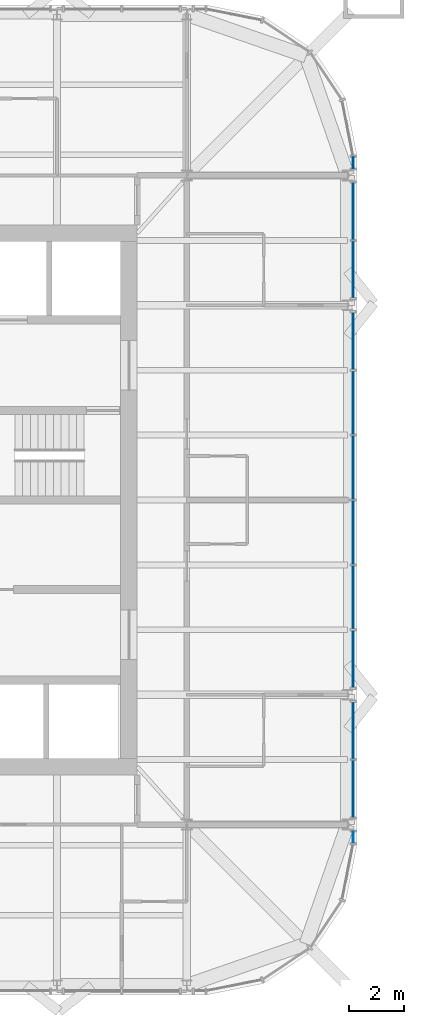
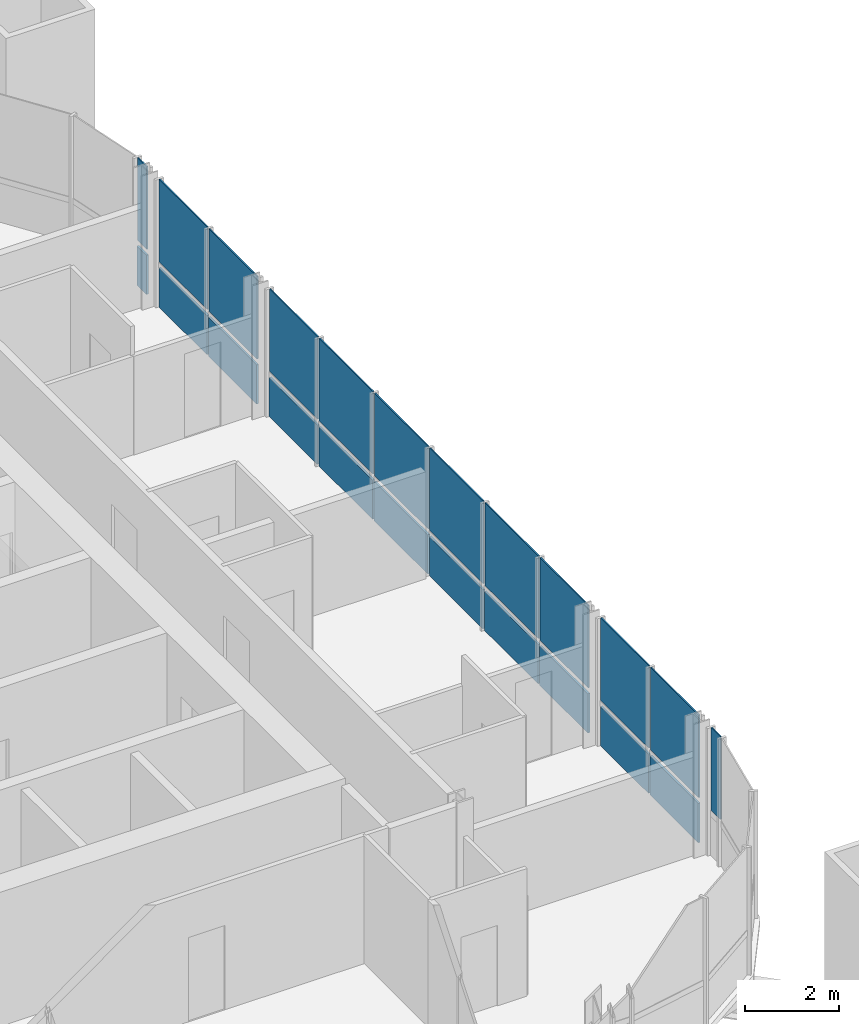
# One storey, part 11 of 17: 23 plates, 5 elements without a shape of their own.
"""IFC4 building model written with IfcOpenShell, lengths in metres."""

from ifc_helpers import new_model, si_unit, direction, frame, origin, origin_2d, place, context, subcontext, project, spatial, rectangle, extrude, material, layer, layer_set, type_object, element, aggregate, save


model = new_model("IFC4")

# Units and contexts
model_context = context("Model", 3, precision=1e-05, world=origin(), true_north=direction((0.0, 1.0)))
body_context = subcontext(model_context, "Body", "Model", "MODEL_VIEW")
ifc_project = project(units=[si_unit("LENGTHUNIT", "METRE"), si_unit("AREAUNIT", "SQUARE_METRE"), si_unit("VOLUMEUNIT", "CUBIC_METRE"), si_unit("PLANEANGLEUNIT", "RADIAN"), si_unit("MASSUNIT", "GRAM", prefix="KILO")], contexts=[model_context])

# Site, building, storey
site_placement = place(None, origin())
site = spatial("IfcSite", under=ifc_project, at=site_placement, CompositionType="ELEMENT")
building_placement = place(site_placement, origin())
building = spatial("IfcBuilding", under=site, at=building_placement, Name="Turquesa Mirador Hotel Tower", CompositionType="ELEMENT")
storey_placement = place(building_placement, frame((0.0, 0.0, 240.699951171875)))
storey = spatial("IfcBuildingStorey", under=building, at=storey_placement, Name="L65", CompositionType="ELEMENT", Elevation=240.699951171875)

# Curtain wall, plates
ifc_material_1 = material(Name="Aluminium extrusion", Category="aluminium")
curtain_wall_type = type_object("IfcCurtainWallType", Name="CW-4 SUITE FRITTED CURTAIN WALL", PredefinedType="USERDEFINED", material=ifc_material_1)
curtain_wall_1_placement = place(storey_placement, origin())
curtain_wall_1 = element("IfcCurtainWall", 1, at=curtain_wall_1_placement, inside=storey, type_object=curtain_wall_type, Name="CW-4 SUITE FRITTED CURTAIN WALL L65", ObjectType="CURTAIN WALL", PredefinedType="USERDEFINED")
ifc_material_2 = material(Name="Ceramic-printed spandrel glass on an insulated back pan", Category="glass")
ifc_layer_1 = layer(ifc_material_2, 0.050048828125)
ifc_layer_set_1 = layer_set([ifc_layer_1], Name="CW PANEL SPANDREL CERAMIC")
plate_type_1 = type_object("IfcPlateType", Name="CW PANEL SPANDREL CERAMIC", PredefinedType="CURTAIN_PANEL", material=ifc_layer_set_1)
plate_1_placement = place(storey_placement, frame((72.85009765625, 34.496826171875, 0.0), z_axis=(0.0, 0.0, 1.0), x_axis=(0.0, 1.0, 0.0)))
plate_1 = element("IfcPlate", 2, at=plate_1_placement, type_object=plate_type_1, Name="Panel", PredefinedType="CURTAIN_PANEL", context=body_context, shape_type="SweptSolid", body=[
    extrude(rectangle(XDim=2.06103515625, YDim=0.050048828125, at=origin_2d()), origin(), (0.0, 0.0, 1.0), 1.02490234375),
])
plate_2_placement = place(storey_placement, frame((72.85009765625, 36.623046875, 0.0), z_axis=(0.0, 0.0, 1.0), x_axis=(0.0, 1.0, 0.0)))
plate_2 = element("IfcPlate", 3, at=plate_2_placement, type_object=plate_type_1, Name="Panel", PredefinedType="CURTAIN_PANEL", context=body_context, shape_type="SweptSolid", body=[
    extrude(rectangle(XDim=2.06103515625, YDim=0.050048828125, at=origin_2d()), origin(), (0.0, 0.0, 1.0), 1.02490234375),
])

curtain_wall_2_placement = place(storey_placement, origin())
curtain_wall_2 = element("IfcCurtainWall", 4, at=curtain_wall_2_placement, inside=storey, type_object=curtain_wall_type, Name="CW-4 SUITE FRITTED CURTAIN WALL L65", ObjectType="CURTAIN WALL", PredefinedType="USERDEFINED")
plate_3_placement = place(storey_placement, frame((72.85009765625, 39.217041015625, 0.0), z_axis=(0.0, 0.0, 1.0), x_axis=(0.0, 1.0, 0.0)))
plate_3 = element("IfcPlate", 5, at=plate_3_placement, type_object=plate_type_1, Name="Panel", PredefinedType="CURTAIN_PANEL", context=body_context, shape_type="SweptSolid", body=[
    extrude(rectangle(XDim=2.06103515625, YDim=0.050048828125, at=origin_2d()), origin(), (0.0, 0.0, 1.0), 1.02490234375),
])
plate_4_placement = place(storey_placement, frame((72.85009765625, 41.4599609375, 0.0), z_axis=(0.0, 0.0, 1.0), x_axis=(0.0, 1.0, 0.0)))
plate_4 = element("IfcPlate", 6, at=plate_4_placement, type_object=plate_type_1, Name="Panel", PredefinedType="CURTAIN_PANEL", context=body_context, shape_type="SweptSolid", body=[
    extrude(rectangle(XDim=2.294921875, YDim=0.050048828125, at=origin_2d()), origin(), (0.0, 0.0, 1.0), 1.02490234375),
])
plate_5_placement = place(storey_placement, frame((72.85009765625, 43.820068359375, 0.0), z_axis=(0.0, 0.0, 1.0), x_axis=(0.0, 1.0, 0.0)))
plate_5 = element("IfcPlate", 7, at=plate_5_placement, type_object=plate_type_1, Name="Panel", PredefinedType="CURTAIN_PANEL", context=body_context, shape_type="SweptSolid", body=[
    extrude(rectangle(XDim=2.294921875, YDim=0.050048828125, at=origin_2d()), origin(), (0.0, 0.0, 1.0), 1.02490234375),
])
plate_6_placement = place(storey_placement, frame((72.85009765625, 46.179931640625, 0.0), z_axis=(0.0, 0.0, 1.0), x_axis=(0.0, 1.0, 0.0)))
plate_6 = element("IfcPlate", 8, at=plate_6_placement, type_object=plate_type_1, Name="Panel", PredefinedType="CURTAIN_PANEL", context=body_context, shape_type="SweptSolid", body=[
    extrude(rectangle(XDim=2.294921875, YDim=0.050048828125, at=origin_2d()), origin(), (0.0, 0.0, 1.0), 1.02490234375),
])
plate_7_placement = place(storey_placement, frame((72.85009765625, 48.5400390625, 0.0), z_axis=(0.0, 0.0, 1.0), x_axis=(0.0, 1.0, 0.0)))
plate_7 = element("IfcPlate", 9, at=plate_7_placement, type_object=plate_type_1, Name="Panel", PredefinedType="CURTAIN_PANEL", context=body_context, shape_type="SweptSolid", body=[
    extrude(rectangle(XDim=2.294921875, YDim=0.050048828125, at=origin_2d()), origin(), (0.0, 0.0, 1.0), 1.02490234375),
])
plate_8_placement = place(storey_placement, frame((72.85009765625, 50.782958984375, 0.0), z_axis=(0.0, 0.0, 1.0), x_axis=(0.0, 1.0, 0.0)))
plate_8 = element("IfcPlate", 10, at=plate_8_placement, type_object=plate_type_1, Name="Panel", PredefinedType="CURTAIN_PANEL", context=body_context, shape_type="SweptSolid", body=[
    extrude(rectangle(XDim=2.06103515625, YDim=0.050048828125, at=origin_2d()), origin(), (0.0, 0.0, 1.0), 1.02490234375),
])

curtain_wall_3_placement = place(storey_placement, origin())
curtain_wall_3 = element("IfcCurtainWall", 11, at=curtain_wall_3_placement, inside=storey, type_object=curtain_wall_type, Name="CW-4 SUITE FRITTED CURTAIN WALL L65", ObjectType="CURTAIN WALL", PredefinedType="USERDEFINED")
plate_9_placement = place(storey_placement, frame((72.85009765625, 53.376953125, 0.0), z_axis=(0.0, 0.0, 1.0), x_axis=(0.0, 1.0, 0.0)))
plate_9 = element("IfcPlate", 12, at=plate_9_placement, type_object=plate_type_1, Name="Panel", PredefinedType="CURTAIN_PANEL", context=body_context, shape_type="SweptSolid", body=[
    extrude(rectangle(XDim=2.06103515625, YDim=0.050048828125, at=origin_2d()), origin(), (0.0, 0.0, 1.0), 1.02490234375),
])
plate_10_placement = place(storey_placement, frame((72.85009765625, 55.503173828125, 0.0), z_axis=(0.0, 0.0, 1.0), x_axis=(0.0, 1.0, 0.0)))
plate_10 = element("IfcPlate", 13, at=plate_10_placement, type_object=plate_type_1, Name="Panel", PredefinedType="CURTAIN_PANEL", context=body_context, shape_type="SweptSolid", body=[
    extrude(rectangle(XDim=2.06103515625, YDim=0.050048828125, at=origin_2d()), origin(), (0.0, 0.0, 1.0), 1.02490234375),
])

# Curtain wall, plate
curtain_wall_4_placement = place(storey_placement, origin())
curtain_wall_4 = element("IfcCurtainWall", 14, at=curtain_wall_4_placement, inside=storey, type_object=curtain_wall_type, Name="CW-4 SUITE FRITTED CURTAIN WALL L65", ObjectType="CURTAIN WALL", PredefinedType="USERDEFINED")
plate_11_placement = place(storey_placement, frame((72.85009765625, 57.266845703125, 0.0), z_axis=(0.0, 0.0, 1.0), x_axis=(0.0, 1.0, 0.0)))
plate_11 = element("IfcPlate", 15, at=plate_11_placement, type_object=plate_type_1, Name="Panel", PredefinedType="CURTAIN_PANEL", context=body_context, shape_type="SweptSolid", body=[
    extrude(rectangle(XDim=0.401123046875, YDim=0.050048828125, at=origin_2d()), origin(), (0.0, 0.0, 1.0), 1.02490234375),
])

curtain_wall_5_placement = place(storey_placement, origin())
curtain_wall_5 = element("IfcCurtainWall", 16, at=curtain_wall_5_placement, inside=storey, type_object=curtain_wall_type, Name="CW-4 SUITE FRITTED CURTAIN WALL L65", ObjectType="CURTAIN WALL", PredefinedType="USERDEFINED")
ifc_material_3 = material(Name="Ceramic-fritted laminated glass", Category="glass")
ifc_layer_2 = layer(ifc_material_3, 0.031982421875)
ifc_layer_set_2 = layer_set([ifc_layer_2], Name="CW PANEL VISION FRITTED")
plate_type_2 = type_object("IfcPlateType", Name="CW PANEL VISION FRITTED", PredefinedType="CURTAIN_PANEL", material=ifc_layer_set_2)
plate_12_placement = place(storey_placement, frame((72.85009765625, 32.733154296875, 1.1748046875), z_axis=(0.0, 0.0, 1.0), x_axis=(0.0, 1.0, 0.0)))
plate_12 = element("IfcPlate", 17, at=plate_12_placement, type_object=plate_type_2, Name="Panel", PredefinedType="CURTAIN_PANEL", context=body_context, shape_type="SweptSolid", body=[
    extrude(rectangle(XDim=0.401123046875, YDim=0.031982421875, at=origin_2d()), origin(), (0.0, 0.0, 1.0), 2.155029296875),
])
aggregate(curtain_wall_5, [plate_12])

# Plate
plate_13_placement = place(storey_placement, frame((72.85009765625, 34.496826171875, 1.1748046875), z_axis=(0.0, 0.0, 1.0), x_axis=(0.0, 1.0, 0.0)))
plate_13 = element("IfcPlate", 18, at=plate_13_placement, type_object=plate_type_2, Name="Panel", PredefinedType="CURTAIN_PANEL", context=body_context, shape_type="SweptSolid", body=[
    extrude(rectangle(XDim=2.06103515625, YDim=0.031982421875, at=origin_2d()), origin(), (0.0, 0.0, 1.0), 2.155029296875),
])

plate_14_placement = place(storey_placement, frame((72.85009765625, 36.623046875, 1.1748046875), z_axis=(0.0, 0.0, 1.0), x_axis=(0.0, 1.0, 0.0)))
plate_14 = element("IfcPlate", 19, at=plate_14_placement, type_object=plate_type_2, Name="Panel", PredefinedType="CURTAIN_PANEL", context=body_context, shape_type="SweptSolid", body=[
    extrude(rectangle(XDim=2.06103515625, YDim=0.031982421875, at=origin_2d()), origin(), (0.0, 0.0, 1.0), 2.155029296875),
])

aggregate(curtain_wall_1, [plate_1, plate_13, plate_2, plate_14])

plate_15_placement = place(storey_placement, frame((72.85009765625, 39.217041015625, 1.1748046875), z_axis=(0.0, 0.0, 1.0), x_axis=(0.0, 1.0, 0.0)))
plate_15 = element("IfcPlate", 20, at=plate_15_placement, type_object=plate_type_2, Name="Panel", PredefinedType="CURTAIN_PANEL", context=body_context, shape_type="SweptSolid", body=[
    extrude(rectangle(XDim=2.06103515625, YDim=0.031982421875, at=origin_2d()), origin(), (0.0, 0.0, 1.0), 2.155029296875),
])

plate_16_placement = place(storey_placement, frame((72.85009765625, 41.4599609375, 1.1748046875), z_axis=(0.0, 0.0, 1.0), x_axis=(0.0, 1.0, 0.0)))
plate_16 = element("IfcPlate", 21, at=plate_16_placement, type_object=plate_type_2, Name="Panel", PredefinedType="CURTAIN_PANEL", context=body_context, shape_type="SweptSolid", body=[
    extrude(rectangle(XDim=2.294921875, YDim=0.031982421875, at=origin_2d()), origin(), (0.0, 0.0, 1.0), 2.155029296875),
])

plate_17_placement = place(storey_placement, frame((72.85009765625, 43.820068359375, 1.1748046875), z_axis=(0.0, 0.0, 1.0), x_axis=(0.0, 1.0, 0.0)))
plate_17 = element("IfcPlate", 22, at=plate_17_placement, type_object=plate_type_2, Name="Panel", PredefinedType="CURTAIN_PANEL", context=body_context, shape_type="SweptSolid", body=[
    extrude(rectangle(XDim=2.294921875, YDim=0.031982421875, at=origin_2d()), origin(), (0.0, 0.0, 1.0), 2.155029296875),
])

plate_18_placement = place(storey_placement, frame((72.85009765625, 46.179931640625, 1.1748046875), z_axis=(0.0, 0.0, 1.0), x_axis=(0.0, 1.0, 0.0)))
plate_18 = element("IfcPlate", 23, at=plate_18_placement, type_object=plate_type_2, Name="Panel", PredefinedType="CURTAIN_PANEL", context=body_context, shape_type="SweptSolid", body=[
    extrude(rectangle(XDim=2.294921875, YDim=0.031982421875, at=origin_2d()), origin(), (0.0, 0.0, 1.0), 2.155029296875),
])

plate_19_placement = place(storey_placement, frame((72.85009765625, 48.5400390625, 1.1748046875), z_axis=(0.0, 0.0, 1.0), x_axis=(0.0, 1.0, 0.0)))
plate_19 = element("IfcPlate", 24, at=plate_19_placement, type_object=plate_type_2, Name="Panel", PredefinedType="CURTAIN_PANEL", context=body_context, shape_type="SweptSolid", body=[
    extrude(rectangle(XDim=2.294921875, YDim=0.031982421875, at=origin_2d()), origin(), (0.0, 0.0, 1.0), 2.155029296875),
])

plate_20_placement = place(storey_placement, frame((72.85009765625, 50.782958984375, 1.1748046875), z_axis=(0.0, 0.0, 1.0), x_axis=(0.0, 1.0, 0.0)))
plate_20 = element("IfcPlate", 25, at=plate_20_placement, type_object=plate_type_2, Name="Panel", PredefinedType="CURTAIN_PANEL", context=body_context, shape_type="SweptSolid", body=[
    extrude(rectangle(XDim=2.06103515625, YDim=0.031982421875, at=origin_2d()), origin(), (0.0, 0.0, 1.0), 2.155029296875),
])

aggregate(curtain_wall_2, [plate_3, plate_15, plate_4, plate_16, plate_5, plate_17, plate_6, plate_18, plate_7, plate_19, plate_8, plate_20])

plate_21_placement = place(storey_placement, frame((72.85009765625, 53.376953125, 1.1748046875), z_axis=(0.0, 0.0, 1.0), x_axis=(0.0, 1.0, 0.0)))
plate_21 = element("IfcPlate", 26, at=plate_21_placement, type_object=plate_type_2, Name="Panel", PredefinedType="CURTAIN_PANEL", context=body_context, shape_type="SweptSolid", body=[
    extrude(rectangle(XDim=2.06103515625, YDim=0.031982421875, at=origin_2d()), origin(), (0.0, 0.0, 1.0), 2.155029296875),
])

plate_22_placement = place(storey_placement, frame((72.85009765625, 55.503173828125, 1.1748046875), z_axis=(0.0, 0.0, 1.0), x_axis=(0.0, 1.0, 0.0)))
plate_22 = element("IfcPlate", 27, at=plate_22_placement, type_object=plate_type_2, Name="Panel", PredefinedType="CURTAIN_PANEL", context=body_context, shape_type="SweptSolid", body=[
    extrude(rectangle(XDim=2.06103515625, YDim=0.031982421875, at=origin_2d()), origin(), (0.0, 0.0, 1.0), 2.155029296875),
])

aggregate(curtain_wall_3, [plate_9, plate_21, plate_10, plate_22])

plate_23_placement = place(storey_placement, frame((72.85009765625, 57.266845703125, 1.1748046875), z_axis=(0.0, 0.0, 1.0), x_axis=(0.0, 1.0, 0.0)))
plate_23 = element("IfcPlate", 28, at=plate_23_placement, type_object=plate_type_2, Name="Panel", PredefinedType="CURTAIN_PANEL", context=body_context, shape_type="SweptSolid", body=[
    extrude(rectangle(XDim=0.401123046875, YDim=0.031982421875, at=origin_2d()), origin(), (0.0, 0.0, 1.0), 2.155029296875),
])

aggregate(curtain_wall_4, [plate_11, plate_23])

save(model, "model.ifc")
